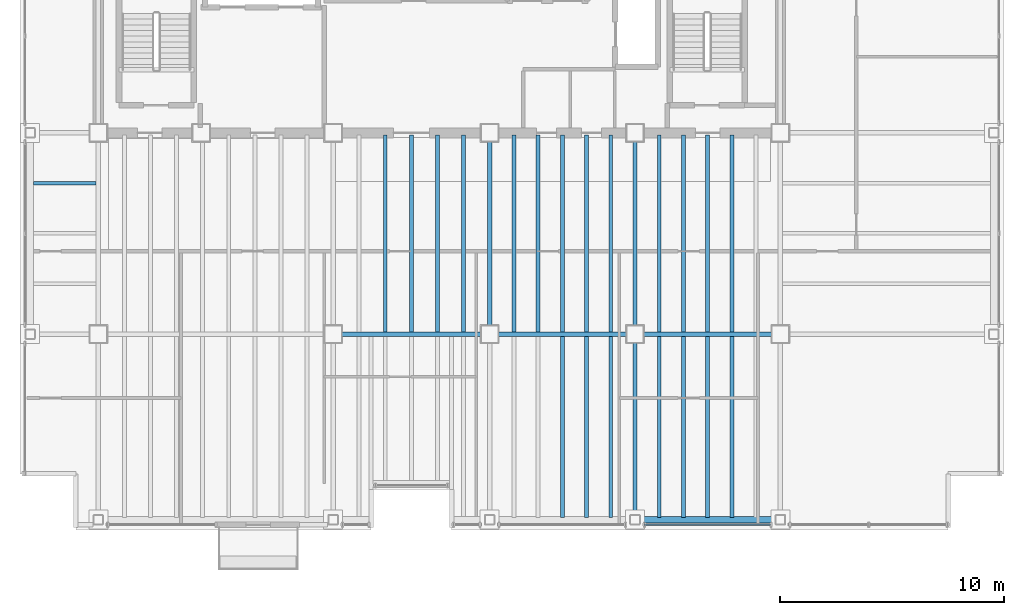
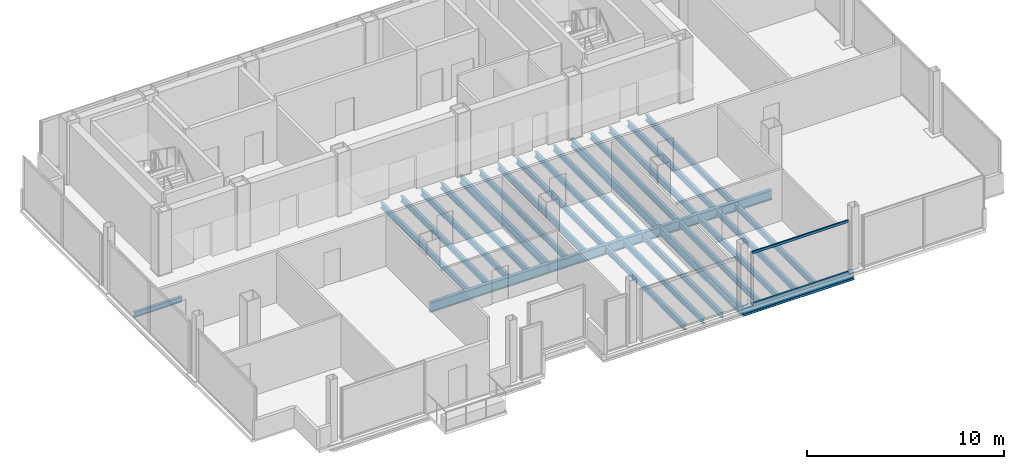
# One storey, part 5 of 15: 28 beams, 2 members, 1 element without a shape of its own.
"""IFC4 building model written with IfcOpenShell, lengths in metres."""

from ifc_helpers import new_model, si_unit, direction, frame, origin, origin_2d, place, context, subcontext, project, spatial, hollow_rectangle, i_section, extrude, material, material_profile, profile_set, type_object, element, aggregate, save


model = new_model("IFC4")

# Units and contexts
model_context = context("Model", 3, precision=1e-05, world=origin(), true_north=direction((0.0, 1.0)))
body_context = subcontext(model_context, "Body", "Model", "MODEL_VIEW")
ifc_project = project(units=[si_unit("LENGTHUNIT", "METRE"), si_unit("AREAUNIT", "SQUARE_METRE"), si_unit("VOLUMEUNIT", "CUBIC_METRE"), si_unit("PLANEANGLEUNIT", "RADIAN"), si_unit("MASSUNIT", "GRAM", prefix="KILO")], contexts=[model_context])

# Site, building, storey
site_placement = place(None, origin())
site = spatial("IfcSite", under=ifc_project, at=site_placement, CompositionType="ELEMENT")
building_placement = place(site_placement, origin())
building = spatial("IfcBuilding", under=site, at=building_placement, Name="Noeulbin Bourse Tower", CompositionType="ELEMENT")
storey_placement = place(building_placement, frame((0.0, 0.0, 222.800048828125)))
storey = spatial("IfcBuildingStorey", under=building, at=storey_placement, Name="L55", CompositionType="ELEMENT", Elevation=222.800048828125)

# Beams
ifc_material_1 = material(Name="Steel S355", Category="steel")
ifc_material_profile_1 = material_profile(ifc_material_1, i_section(OverallWidth=0.199951171875, OverallDepth=0.5, WebThickness=0.010009765625, FlangeThickness=0.01611328125, FilletRadius=0.02001953125, at=origin_2d()), Name="H-500x200x10x16", Category="LoadBearing")
ifc_profile_set_1 = profile_set([ifc_material_profile_1], Name="Steel S355")
beam_type_1 = type_object("IfcBeamType", Name="BM-GRD-500", PredefinedType="USERDEFINED", material=ifc_profile_set_1)
beam_1_placement = place(storey_placement, frame((31.0, 20.0, -0.429931640625), z_axis=(0.0, 1.0, 0.0), x_axis=(-1.0, 0.0, 0.0)))
element("IfcBeam", 1, at=beam_1_placement, inside=storey, type_object=beam_type_1, Name="Tower Primary Girder NS L55-3.2", ObjectType="GIRDER", PredefinedType="USERDEFINED", context=body_context, shape_type="SweptSolid", body=[
    extrude(i_section(OverallWidth=0.199951171875, OverallDepth=0.5, WebThickness=0.010009765625, FlangeThickness=0.01611328125, FilletRadius=0.02001953125, at=origin_2d()), origin(), (0.0, 0.0, 1.0), 9.0),
])
beam_2_placement = place(storey_placement, frame((37.5, 11.699951171875, -0.429931640625), z_axis=(0.0, 1.0, 0.0), x_axis=(-1.0, 0.0, 0.0)))
element("IfcBeam", 2, at=beam_2_placement, inside=storey, type_object=beam_type_1, Name="Tower Primary Girder NS L55-4.1", ObjectType="GIRDER", PredefinedType="USERDEFINED", context=body_context, shape_type="SweptSolid", body=[
    extrude(i_section(OverallWidth=0.199951171875, OverallDepth=0.5, WebThickness=0.010009765625, FlangeThickness=0.01611328125, FilletRadius=0.02001953125, at=origin_2d()), origin(), (0.0, 0.0, 1.0), 8.300048828125),
])
beam_3_placement = place(storey_placement, frame((37.5, 20.0, -0.429931640625), z_axis=(0.0, 1.0, 0.0), x_axis=(-1.0, 0.0, 0.0)))
element("IfcBeam", 3, at=beam_3_placement, inside=storey, type_object=beam_type_1, Name="Tower Primary Girder NS L55-4.2", ObjectType="GIRDER", PredefinedType="USERDEFINED", context=body_context, shape_type="SweptSolid", body=[
    extrude(i_section(OverallWidth=0.199951171875, OverallDepth=0.5, WebThickness=0.010009765625, FlangeThickness=0.01611328125, FilletRadius=0.02001953125, at=origin_2d()), origin(), (0.0, 0.0, 1.0), 9.0),
])
ifc_material_profile_2 = material_profile(ifc_material_1, i_section(OverallWidth=0.199951171875, OverallDepth=0.60009765625, WebThickness=0.010986328125, FlangeThickness=0.01708984375, FilletRadius=0.02197265625, at=origin_2d()), Name="H-600x200x11x17", Category="LoadBearing")
ifc_profile_set_2 = profile_set([ifc_material_profile_2], Name="Steel S355")
beam_type_2 = type_object("IfcBeamType", Name="BM-GRD-600", PredefinedType="USERDEFINED", material=ifc_profile_set_2)
beam_4_placement = place(storey_placement, frame((24.0, 20.0, -0.47998046875), z_axis=(1.0, 0.0, 0.0), x_axis=(0.0, 1.0, 0.0)))
element("IfcBeam", 4, at=beam_4_placement, inside=storey, type_object=beam_type_2, Name="Tower Primary Girder EW L55-1.3", ObjectType="GIRDER", PredefinedType="USERDEFINED", context=body_context, shape_type="SweptSolid", body=[
    extrude(i_section(OverallWidth=0.199951171875, OverallDepth=0.60009765625, WebThickness=0.010986328125, FlangeThickness=0.01708984375, FilletRadius=0.02197265625, at=origin_2d()), origin(), (0.0, 0.0, 1.0), 7.0),
])
for number, where, z_axis, x_axis, name in (
    (5, (31.0, 20.0, -0.47998046875), (1.0, 0.0, 0.0), (0.0, 1.0, 0.0), "Tower Primary Girder EW L55-1.4"),
    (6, (37.5, 20.0, -0.47998046875), (1.0, 0.0, 0.0), (0.0, 1.0, 0.0), "Tower Primary Girder EW L55-1.5"),
):
    element("IfcBeam", number, at=place(storey_placement, frame(where, z_axis=z_axis, x_axis=x_axis)), inside=storey, type_object=beam_type_2, Name=name, ObjectType="GIRDER", PredefinedType="USERDEFINED", context=body_context, shape_type="SweptSolid", body=[
        extrude(i_section(OverallWidth=0.199951171875, OverallDepth=0.60009765625, WebThickness=0.010986328125, FlangeThickness=0.01708984375, FilletRadius=0.02197265625, at=origin_2d()), origin(), (0.0, 0.0, 1.0), 6.5),
    ])
ifc_material_profile_3 = material_profile(ifc_material_1, i_section(OverallWidth=0.159912109375, OverallDepth=0.320068359375, WebThickness=0.006591796875, FlangeThickness=0.010009765625, FilletRadius=0.012939453125, at=origin_2d()), Name="H-320x160x6.5x10", Category="LoadBearing")
ifc_profile_set_3 = profile_set([ifc_material_profile_3], Name="Steel S355")
beam_type_3 = type_object("IfcBeamType", Name="BM-JST-320", PredefinedType="JOIST", material=ifc_profile_set_3)
beam_5_placement = place(storey_placement, frame((10.60009765625, 26.75, -0.340087890625), z_axis=(1.0, 0.0, 0.0), x_axis=(0.0, 1.0, 0.0)))
element("IfcBeam", 7, at=beam_5_placement, inside=storey, type_object=beam_type_3, Name="Wing Composite Joist L55-W49", PredefinedType="JOIST", context=body_context, shape_type="SweptSolid", body=[
    extrude(i_section(OverallWidth=0.159912109375, OverallDepth=0.320068359375, WebThickness=0.006591796875, FlangeThickness=0.010009765625, FilletRadius=0.012939453125, at=origin_2d()), origin(), (0.0, 0.0, 1.0), 2.7998046875),
])
ifc_material_profile_4 = material_profile(ifc_material_1, i_section(OverallWidth=0.175048828125, OverallDepth=0.35009765625, WebThickness=0.007080078125, FlangeThickness=0.010986328125, FilletRadius=0.013916015625, at=origin_2d()), Name="H-350x175x7x11", Category="LoadBearing")
ifc_profile_set_4 = profile_set([ifc_material_profile_4], Name="Steel S355")
beam_type_4 = type_object("IfcBeamType", Name="BM-JST-350", PredefinedType="JOIST", material=ifc_profile_set_4)
for number, where, z_axis, x_axis, name in (
    (8, (26.333251953125, 20.10009765625, -0.35498046875), (0.0, 1.0, 0.0), (-1.0, 0.0, 0.0), "Tower Composite Joist L55-20"),
    (9, (27.5, 20.10009765625, -0.35498046875), (0.0, 1.0, 0.0), (-1.0, 0.0, 0.0), "Tower Composite Joist L55-22"),
    (10, (28.666748046875, 20.10009765625, -0.35498046875), (0.0, 1.0, 0.0), (-1.0, 0.0, 0.0), "Tower Composite Joist L55-24"),
    (11, (29.833251953125, 20.10009765625, -0.35498046875), (0.0, 1.0, 0.0), (-1.0, 0.0, 0.0), "Tower Composite Joist L55-26"),
    (12, (32.083251953125, 20.10009765625, -0.35498046875), (0.0, 1.0, 0.0), (-1.0, 0.0, 0.0), "Tower Composite Joist L55-28"),
    (13, (33.166748046875, 20.10009765625, -0.35498046875), (0.0, 1.0, 0.0), (-1.0, 0.0, 0.0), "Tower Composite Joist L55-30"),
):
    element("IfcBeam", number, at=place(storey_placement, frame(where, z_axis=z_axis, x_axis=x_axis)), inside=storey, type_object=beam_type_4, Name=name, PredefinedType="JOIST", context=body_context, shape_type="SweptSolid", body=[
        extrude(i_section(OverallWidth=0.175048828125, OverallDepth=0.35009765625, WebThickness=0.007080078125, FlangeThickness=0.010986328125, FilletRadius=0.013916015625, at=origin_2d()), origin(), (0.0, 0.0, 1.0), 8.7998046875),
    ])
beam_6_placement = place(storey_placement, frame((34.25, 11.800048828125, -0.35498046875), z_axis=(0.0, 1.0, 0.0), x_axis=(-1.0, 0.0, 0.0)))
element("IfcBeam", 14, at=beam_6_placement, inside=storey, type_object=beam_type_4, Name="Tower Composite Joist L55-31", PredefinedType="JOIST", context=body_context, shape_type="SweptSolid", body=[
    extrude(i_section(OverallWidth=0.175048828125, OverallDepth=0.35009765625, WebThickness=0.007080078125, FlangeThickness=0.010986328125, FilletRadius=0.013916015625, at=origin_2d()), origin(), (0.0, 0.0, 1.0), 8.099853515625),
])
beam_7_placement = place(storey_placement, frame((34.25, 20.10009765625, -0.35498046875), z_axis=(0.0, 1.0, 0.0), x_axis=(-1.0, 0.0, 0.0)))
element("IfcBeam", 15, at=beam_7_placement, inside=storey, type_object=beam_type_4, Name="Tower Composite Joist L55-32", PredefinedType="JOIST", context=body_context, shape_type="SweptSolid", body=[
    extrude(i_section(OverallWidth=0.175048828125, OverallDepth=0.35009765625, WebThickness=0.007080078125, FlangeThickness=0.010986328125, FilletRadius=0.013916015625, at=origin_2d()), origin(), (0.0, 0.0, 1.0), 8.7998046875),
])
beam_8_placement = place(storey_placement, frame((35.333251953125, 11.800048828125, -0.35498046875), z_axis=(0.0, 1.0, 0.0), x_axis=(-1.0, 0.0, 0.0)))
element("IfcBeam", 16, at=beam_8_placement, inside=storey, type_object=beam_type_4, Name="Tower Composite Joist L55-33", PredefinedType="JOIST", context=body_context, shape_type="SweptSolid", body=[
    extrude(i_section(OverallWidth=0.175048828125, OverallDepth=0.35009765625, WebThickness=0.007080078125, FlangeThickness=0.010986328125, FilletRadius=0.013916015625, at=origin_2d()), origin(), (0.0, 0.0, 1.0), 8.099853515625),
])
beam_9_placement = place(storey_placement, frame((35.333251953125, 20.10009765625, -0.35498046875), z_axis=(0.0, 1.0, 0.0), x_axis=(-1.0, 0.0, 0.0)))
element("IfcBeam", 17, at=beam_9_placement, inside=storey, type_object=beam_type_4, Name="Tower Composite Joist L55-34", PredefinedType="JOIST", context=body_context, shape_type="SweptSolid", body=[
    extrude(i_section(OverallWidth=0.175048828125, OverallDepth=0.35009765625, WebThickness=0.007080078125, FlangeThickness=0.010986328125, FilletRadius=0.013916015625, at=origin_2d()), origin(), (0.0, 0.0, 1.0), 8.7998046875),
])
beam_10_placement = place(storey_placement, frame((36.416748046875, 11.800048828125, -0.35498046875), z_axis=(0.0, 1.0, 0.0), x_axis=(-1.0, 0.0, 0.0)))
element("IfcBeam", 18, at=beam_10_placement, inside=storey, type_object=beam_type_4, Name="Tower Composite Joist L55-35", PredefinedType="JOIST", context=body_context, shape_type="SweptSolid", body=[
    extrude(i_section(OverallWidth=0.175048828125, OverallDepth=0.35009765625, WebThickness=0.007080078125, FlangeThickness=0.010986328125, FilletRadius=0.013916015625, at=origin_2d()), origin(), (0.0, 0.0, 1.0), 8.099853515625),
])
beam_11_placement = place(storey_placement, frame((36.416748046875, 20.10009765625, -0.35498046875), z_axis=(0.0, 1.0, 0.0), x_axis=(-1.0, 0.0, 0.0)))
element("IfcBeam", 19, at=beam_11_placement, inside=storey, type_object=beam_type_4, Name="Tower Composite Joist L55-36", PredefinedType="JOIST", context=body_context, shape_type="SweptSolid", body=[
    extrude(i_section(OverallWidth=0.175048828125, OverallDepth=0.35009765625, WebThickness=0.007080078125, FlangeThickness=0.010986328125, FilletRadius=0.013916015625, at=origin_2d()), origin(), (0.0, 0.0, 1.0), 8.7998046875),
])
beam_12_placement = place(storey_placement, frame((38.583251953125, 11.800048828125, -0.35498046875), z_axis=(0.0, 1.0, 0.0), x_axis=(-1.0, 0.0, 0.0)))
element("IfcBeam", 20, at=beam_12_placement, inside=storey, type_object=beam_type_4, Name="Tower Composite Joist L55-37", PredefinedType="JOIST", context=body_context, shape_type="SweptSolid", body=[
    extrude(i_section(OverallWidth=0.175048828125, OverallDepth=0.35009765625, WebThickness=0.007080078125, FlangeThickness=0.010986328125, FilletRadius=0.013916015625, at=origin_2d()), origin(), (0.0, 0.0, 1.0), 8.099853515625),
])
beam_13_placement = place(storey_placement, frame((38.583251953125, 20.10009765625, -0.35498046875), z_axis=(0.0, 1.0, 0.0), x_axis=(-1.0, 0.0, 0.0)))
element("IfcBeam", 21, at=beam_13_placement, inside=storey, type_object=beam_type_4, Name="Tower Composite Joist L55-38", PredefinedType="JOIST", context=body_context, shape_type="SweptSolid", body=[
    extrude(i_section(OverallWidth=0.175048828125, OverallDepth=0.35009765625, WebThickness=0.007080078125, FlangeThickness=0.010986328125, FilletRadius=0.013916015625, at=origin_2d()), origin(), (0.0, 0.0, 1.0), 8.7998046875),
])
beam_14_placement = place(storey_placement, frame((39.666748046875, 11.800048828125, -0.35498046875), z_axis=(0.0, 1.0, 0.0), x_axis=(-1.0, 0.0, 0.0)))
element("IfcBeam", 22, at=beam_14_placement, inside=storey, type_object=beam_type_4, Name="Tower Composite Joist L55-39", PredefinedType="JOIST", context=body_context, shape_type="SweptSolid", body=[
    extrude(i_section(OverallWidth=0.175048828125, OverallDepth=0.35009765625, WebThickness=0.007080078125, FlangeThickness=0.010986328125, FilletRadius=0.013916015625, at=origin_2d()), origin(), (0.0, 0.0, 1.0), 8.099853515625),
])
beam_15_placement = place(storey_placement, frame((39.666748046875, 20.10009765625, -0.35498046875), z_axis=(0.0, 1.0, 0.0), x_axis=(-1.0, 0.0, 0.0)))
element("IfcBeam", 23, at=beam_15_placement, inside=storey, type_object=beam_type_4, Name="Tower Composite Joist L55-40", PredefinedType="JOIST", context=body_context, shape_type="SweptSolid", body=[
    extrude(i_section(OverallWidth=0.175048828125, OverallDepth=0.35009765625, WebThickness=0.007080078125, FlangeThickness=0.010986328125, FilletRadius=0.013916015625, at=origin_2d()), origin(), (0.0, 0.0, 1.0), 8.7998046875),
])
beam_16_placement = place(storey_placement, frame((40.75, 11.800048828125, -0.35498046875), z_axis=(0.0, 1.0, 0.0), x_axis=(-1.0, 0.0, 0.0)))
element("IfcBeam", 24, at=beam_16_placement, inside=storey, type_object=beam_type_4, Name="Tower Composite Joist L55-41", PredefinedType="JOIST", context=body_context, shape_type="SweptSolid", body=[
    extrude(i_section(OverallWidth=0.175048828125, OverallDepth=0.35009765625, WebThickness=0.007080078125, FlangeThickness=0.010986328125, FilletRadius=0.013916015625, at=origin_2d()), origin(), (0.0, 0.0, 1.0), 8.099853515625),
])
beam_17_placement = place(storey_placement, frame((40.75, 20.10009765625, -0.35498046875), z_axis=(0.0, 1.0, 0.0), x_axis=(-1.0, 0.0, 0.0)))
element("IfcBeam", 25, at=beam_17_placement, inside=storey, type_object=beam_type_4, Name="Tower Composite Joist L55-42", PredefinedType="JOIST", context=body_context, shape_type="SweptSolid", body=[
    extrude(i_section(OverallWidth=0.175048828125, OverallDepth=0.35009765625, WebThickness=0.007080078125, FlangeThickness=0.010986328125, FilletRadius=0.013916015625, at=origin_2d()), origin(), (0.0, 0.0, 1.0), 8.7998046875),
])
beam_18_placement = place(storey_placement, frame((41.833251953125, 11.800048828125, -0.35498046875), z_axis=(0.0, 1.0, 0.0), x_axis=(-1.0, 0.0, 0.0)))
element("IfcBeam", 26, at=beam_18_placement, inside=storey, type_object=beam_type_4, Name="Tower Composite Joist L55-43", PredefinedType="JOIST", context=body_context, shape_type="SweptSolid", body=[
    extrude(i_section(OverallWidth=0.175048828125, OverallDepth=0.35009765625, WebThickness=0.007080078125, FlangeThickness=0.010986328125, FilletRadius=0.013916015625, at=origin_2d()), origin(), (0.0, 0.0, 1.0), 8.099853515625),
])
beam_19_placement = place(storey_placement, frame((41.833251953125, 20.10009765625, -0.35498046875), z_axis=(0.0, 1.0, 0.0), x_axis=(-1.0, 0.0, 0.0)))
element("IfcBeam", 27, at=beam_19_placement, inside=storey, type_object=beam_type_4, Name="Tower Composite Joist L55-44", PredefinedType="JOIST", context=body_context, shape_type="SweptSolid", body=[
    extrude(i_section(OverallWidth=0.175048828125, OverallDepth=0.35009765625, WebThickness=0.007080078125, FlangeThickness=0.010986328125, FilletRadius=0.013916015625, at=origin_2d()), origin(), (0.0, 0.0, 1.0), 8.7998046875),
])
ifc_material_profile_5 = material_profile(ifc_material_1, i_section(OverallWidth=0.300048828125, OverallDepth=0.488037109375, WebThickness=0.010986328125, FlangeThickness=0.01806640625, FilletRadius=0.02197265625, at=origin_2d()), Name="H-488x300x11x18", Category="LoadBearing")
ifc_profile_set_5 = profile_set([ifc_material_profile_5], Name="Steel S355")
beam_type_5 = type_object("IfcBeamType", Name="BM-SPN-488", PredefinedType="SPANDREL", material=ifc_profile_set_5)
beam_20_placement = place(storey_placement, frame((37.5, 11.699951171875, -0.424072265625), z_axis=(1.0, 0.0, 0.0), x_axis=(0.0, 1.0, 0.0)))
element("IfcBeam", 28, at=beam_20_placement, inside=storey, type_object=beam_type_5, Name="South Spandrel L55-4", PredefinedType="SPANDREL", context=body_context, shape_type="SweptSolid", body=[
    extrude(i_section(OverallWidth=0.300048828125, OverallDepth=0.488037109375, WebThickness=0.010986328125, FlangeThickness=0.01806640625, FilletRadius=0.02197265625, at=origin_2d()), origin(), (0.0, 0.0, 1.0), 6.5),
])

# Curtain wall, members
ifc_material_2 = material(Name="High-Selectivity Low-Iron Glazing", Category="glass")
curtain_wall_type = type_object("IfcCurtainWallType", Name="CW-SYS-4", PredefinedType="NOTDEFINED", material=ifc_material_2)
curtain_wall_placement = place(storey_placement, origin())
curtain_wall = element("IfcCurtainWall", 29, at=curtain_wall_placement, inside=storey, type_object=curtain_wall_type, Name="Unitised Curtain Wall CW-L55-S3-S3", PredefinedType="NOTDEFINED")
ifc_material_3 = material(Name="Anodised Aluminium 6063-T6", Category="aluminium")
ifc_material_profile_6 = material_profile(ifc_material_3, hollow_rectangle(XDim=0.074951171875, YDim=0.159912109375, WallThickness=0.0048828125, InnerFilletRadius=0.00244140625, OuterFilletRadius=0.0048828125, at=origin_2d()), Name="ALU-TRAN-75x160x5", Category="LoadBearing")
ifc_profile_set_6 = profile_set([ifc_material_profile_6], Name="Anodised Aluminium 6063-T6")
member_type = type_object("IfcMemberType", Name="CW-SYS-4-TRN", PredefinedType="USERDEFINED", material=ifc_profile_set_6)
member_1_placement = place(storey_placement, frame((37.93505859375, 11.469970703125, 0.010009765625), z_axis=(1.0, 0.0, 0.0), x_axis=(0.0, 1.0, 0.0)))
member_1 = element("IfcMember", 30, at=member_1_placement, type_object=member_type, Name="Curtain Wall Transom CW-L55-S3-S3-T00", ObjectType="TRANSOM", PredefinedType="USERDEFINED", context=body_context, shape_type="SweptSolid", body=[
    extrude(hollow_rectangle(XDim=0.074951171875, YDim=0.159912109375, WallThickness=0.0048828125, InnerFilletRadius=0.00244140625, OuterFilletRadius=0.0048828125, at=origin_2d()), origin(), (0.0, 0.0, 1.0), 5.6298828125),
])
member_2_placement = place(storey_placement, frame((37.93505859375, 11.469970703125, 3.169921875), z_axis=(1.0, 0.0, 0.0), x_axis=(0.0, 1.0, 0.0)))
member_2 = element("IfcMember", 31, at=member_2_placement, type_object=member_type, Name="Curtain Wall Transom CW-L55-S3-S3-T01", ObjectType="TRANSOM", PredefinedType="USERDEFINED", context=body_context, shape_type="SweptSolid", body=[
    extrude(hollow_rectangle(XDim=0.074951171875, YDim=0.159912109375, WallThickness=0.0048828125, InnerFilletRadius=0.00244140625, OuterFilletRadius=0.0048828125, at=origin_2d()), origin(), (0.0, 0.0, 1.0), 5.6298828125),
])
aggregate(curtain_wall, [member_1, member_2])

save(model, "model.ifc")
